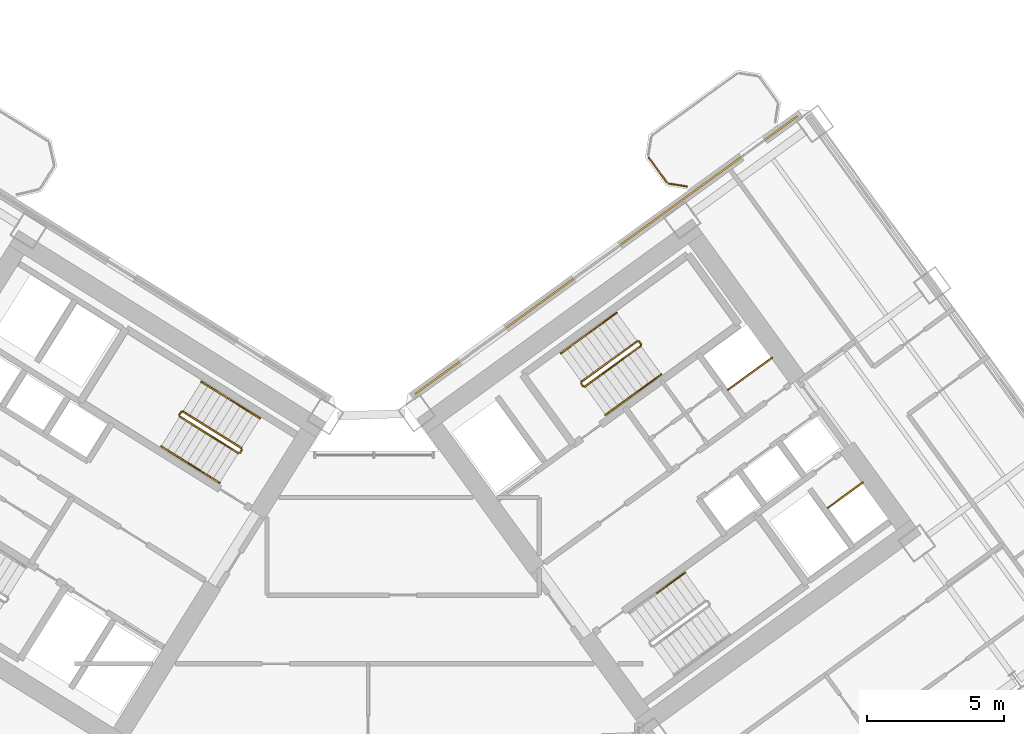
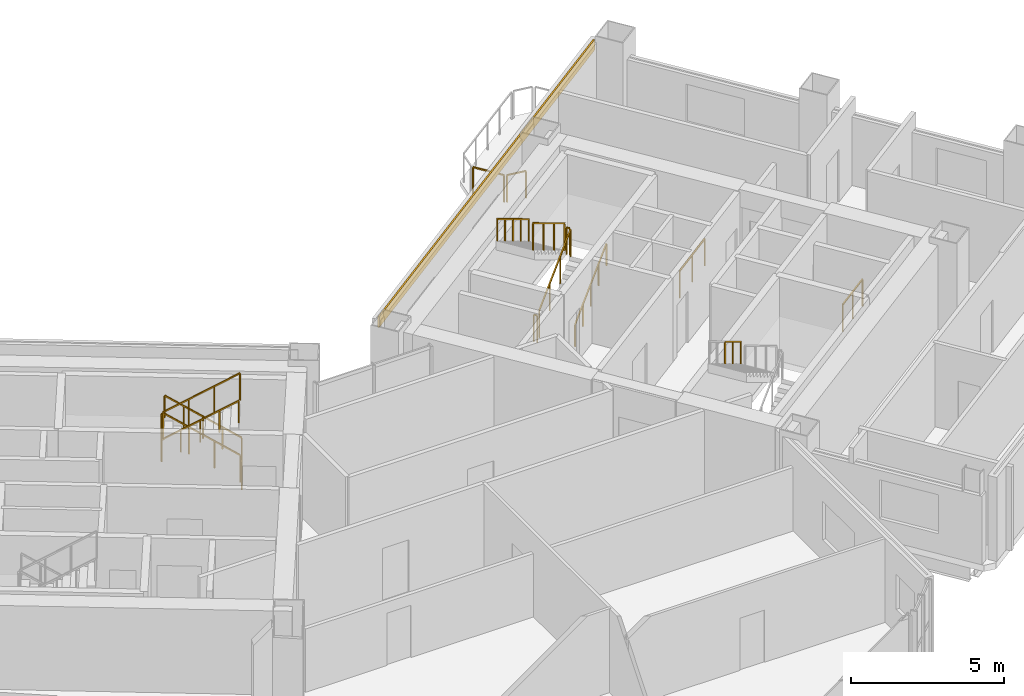
# One storey, part 27 of 28: 21 railings, 1 covering.
"""IFC4 building model written with IfcOpenShell, lengths in metres."""

from ifc_helpers import new_model, si_unit, direction, frame, origin, origin_2d, place, context, subcontext, project, spatial, rectangle, extrude, source, transform, mapped, material, layer, layer_set, type_object, element, save


model = new_model("IFC4")

# Units and contexts
model_context = context("Model", 3, precision=1e-05, world=origin(), true_north=direction((0.0, 1.0)))
body_context = subcontext(model_context, "Body", "Model", "MODEL_VIEW")
ifc_project = project(units=[si_unit("LENGTHUNIT", "METRE"), si_unit("AREAUNIT", "SQUARE_METRE"), si_unit("VOLUMEUNIT", "CUBIC_METRE"), si_unit("PLANEANGLEUNIT", "RADIAN"), si_unit("MASSUNIT", "GRAM", prefix="KILO")], contexts=[model_context])

# Site, building, storey
site_placement = place(None, origin())
site = spatial("IfcSite", under=ifc_project, at=site_placement, CompositionType="ELEMENT")
building_placement = place(site_placement, origin())
building = spatial("IfcBuilding", under=site, at=building_placement, Name="Tlacorven Tower", CompositionType="ELEMENT")
storey_placement = place(building_placement, frame((0.0, 0.0, 63.60009765625)))
storey = spatial("IfcBuildingStorey", under=building, at=storey_placement, Name="L16", CompositionType="ELEMENT", Elevation=63.60009765625)

# Railings
ifc_material_1 = material(Name="Aluminium and painted steel balustrade", Category="steel")
railing_type_1 = type_object("IfcRailingType", Name="RL-GRD-1100", PredefinedType="GUARDRAIL", material=ifc_material_1)
shared_shape_1 = source(origin(), body_context, "Body", "SweptSolid", [
    extrude(rectangle(XDim=0.048095703125, YDim=0.048095703125, at=origin_2d()), frame((0.0, 0.0, 1.076171875), z_axis=(0.808947177504, 0.587881334972, 0.0), x_axis=(-0.587881334972, 0.808947177504, 0.0)), (0.0, 0.0, 1.0), 2.0),
    extrude(rectangle(XDim=0.0419921875, YDim=0.0419921875, at=origin_2d()), origin(), (0.0, 0.0, 1.0), 1.052001953125),
    extrude(rectangle(XDim=0.0419921875, YDim=0.0419921875, at=origin_2d()), frame((0.80908203125, 0.587890625, 0.0)), (0.0, 0.0, 1.0), 1.052001953125),
    extrude(rectangle(XDim=0.0419921875, YDim=0.0419921875, at=origin_2d()), frame((1.617919921875, 1.17578125, 0.0)), (0.0, 0.0, 1.0), 1.052001953125),
])
railing_1_placement = place(storey_placement, frame((55.506103515625, 25.438232421875, 0.0)))
element("IfcRailing", 1, at=railing_1_placement, inside=storey, type_object=railing_type_1, Name="L16 Electrical Riser E Shaft Guard 1", PredefinedType="GUARDRAIL", context=body_context, shape_type="MappedRepresentation", body=[
    mapped(shared_shape_1, transform((0.0, 0.0, 0.0), scale=1.0)),
])
shared_shape_2 = source(origin(), body_context, "Body", "SweptSolid", [
    extrude(rectangle(XDim=0.048095703125, YDim=0.048095703125, at=origin_2d()), frame((0.0, 0.0, 1.076171875), z_axis=(0.809029975545, 0.58776738483, 0.0), x_axis=(-0.58776738483, 0.809029975545, 0.0)), (0.0, 0.0, 1.0), 1.580078125),
    extrude(rectangle(XDim=0.0419921875, YDim=0.0419921875, at=origin_2d()), origin(), (0.0, 0.0, 1.0), 1.052001953125),
    extrude(rectangle(XDim=0.0419921875, YDim=0.0419921875, at=origin_2d()), frame((0.63916015625, 0.46435546875, 0.0)), (0.0, 0.0, 1.0), 1.052001953125),
    extrude(rectangle(XDim=0.0419921875, YDim=0.0419921875, at=origin_2d()), frame((1.2783203125, 0.9287109375, 0.0)), (0.0, 0.0, 1.0), 1.052001953125),
])
railing_2_placement = place(storey_placement, frame((59.160888671875, 21.122314453125, 0.0)))
element("IfcRailing", 2, at=railing_2_placement, inside=storey, type_object=railing_type_1, Name="L16 Smoke Riser E Shaft Guard 1", PredefinedType="GUARDRAIL", context=body_context, shape_type="MappedRepresentation", body=[
    mapped(shared_shape_2, transform((0.0, 0.0, 0.0), scale=1.0)),
])
railing_type_2 = type_object("IfcRailingType", Name="RL-BAL-1100", PredefinedType="BALUSTRADE", material=ifc_material_1)
shared_shape_3 = source(origin(), body_context, "Body", "SweptSolid", [
    extrude(rectangle(XDim=0.048095703125, YDim=0.048095703125, at=origin_2d()), frame((0.0, 0.0, 1.076171875), z_axis=(-0.987718317463, 0.156245081039, 0.0), x_axis=(-0.156245081039, -0.987718317463, 0.0)), (0.0, 0.0, 1.0), 0.66552734375),
    extrude(rectangle(XDim=0.0419921875, YDim=0.0419921875, at=origin_2d()), origin(), (0.0, 0.0, 1.0), 1.052001953125),
    extrude(rectangle(XDim=0.0419921875, YDim=0.0419921875, at=origin_2d()), frame((-0.657470703125, 0.10400390625, 0.0)), (0.0, 0.0, 1.0), 1.052001953125),
])
railing_3_placement = place(storey_placement, frame((54.00341796875, 32.8759765625, 0.0)))
element("IfcRailing", 3, at=railing_3_placement, inside=storey, type_object=railing_type_2, Name="BAL-L16-E-IN Guard Railing 1", PredefinedType="BALUSTRADE", context=body_context, shape_type="MappedRepresentation", body=[
    mapped(shared_shape_3, transform((0.0, 0.0, 0.0), scale=1.0)),
])
shared_shape_4 = source(origin(), body_context, "Body", "SweptSolid", [
    extrude(rectangle(XDim=0.048095703125, YDim=0.048095703125, at=origin_2d()), frame((0.0, 0.0, 1.076171875), z_axis=(-0.587740817519, 0.809049276263, 0.0), x_axis=(-0.809049276263, -0.587740817519, 0.0)), (0.0, 0.0, 1.0), 1.112060546875),
    extrude(rectangle(XDim=0.0419921875, YDim=0.0419921875, at=origin_2d()), origin(), (0.0, 0.0, 1.0), 1.052001953125),
    extrude(rectangle(XDim=0.0419921875, YDim=0.0419921875, at=origin_2d()), frame((-0.653564453125, 0.899658203125, 0.0)), (0.0, 0.0, 1.0), 1.052001953125),
])
railing_4_placement = place(storey_placement, frame((53.26708984375, 33.0283203125, 0.0)))
element("IfcRailing", 4, at=railing_4_placement, inside=storey, type_object=railing_type_2, Name="BAL-L16-E-IN Guard Railing 2", PredefinedType="BALUSTRADE", context=body_context, shape_type="MappedRepresentation", body=[
    mapped(shared_shape_4, transform((0.0, 0.0, 0.0), scale=1.0)),
])

# Covering
ifc_material_2 = material(Name="Precast concrete C45/55", Category="concrete")
ifc_layer = layer(ifc_material_2, 0.06005859375)
ifc_layer_set = layer_set([ifc_layer], Name="Precast concrete C45/55")
covering_type = type_object("IfcCoveringType", Name="CV-CLD-TERC", PredefinedType="CLADDING", material=ifc_layer_set)
shared_shape_5 = source(origin(), body_context, "Body", "SweptSolid", [
    extrude(rectangle(XDim=17.287353515625, YDim=0.06005859375, at=origin_2d()), origin(), (0.0, 0.0, 1.0), 0.419921875),
])
covering_placement = place(storey_placement, frame((51.05224609375, 30.360595703125, 2.929931640625), z_axis=(0.0, 0.0, 1.0), x_axis=(0.809017097486, 0.587785110372, 0.0)))
element("IfcCovering", 5, at=covering_placement, inside=storey, type_object=covering_type, Name="L16 Masonry-Frame Spandrel Cladding 4", PredefinedType="CLADDING", context=body_context, shape_type="MappedRepresentation", body=[
    mapped(shared_shape_5, transform((0.0, 0.0, 0.0), scale=1.0)),
])

# Railings
shared_shape_6 = source(origin(), body_context, "Body", "SweptSolid", [
    extrude(rectangle(XDim=0.048095703125, YDim=0.048095703125, at=origin_2d()), frame((0.0, 0.0, 1.076171875), z_axis=(-0.530546985787, -0.847655529016, 0.0), x_axis=(0.847655529016, -0.530546985787, 0.0)), (0.0, 0.0, 1.0), 0.1201171875),
    extrude(rectangle(XDim=0.0419921875, YDim=0.0419921875, at=origin_2d()), origin(), (0.0, 0.0, 1.0), 1.052001953125),
    extrude(rectangle(XDim=0.0419921875, YDim=0.0419921875, at=origin_2d()), frame((-0.063720703125, -0.101806640625, 0.0)), (0.0, 0.0, 1.0), 1.052001953125),
])
railing_5_placement = place(storey_placement, frame((37.728271484375, 23.24072265625, 0.0)))
element("IfcRailing", 6, at=railing_5_placement, inside=storey, type_object=railing_type_1, Name="L16 ST-W2 stair guard 4", PredefinedType="GUARDRAIL", context=body_context, shape_type="MappedRepresentation", body=[
    mapped(shared_shape_6, transform((0.0, 0.0, 0.0), scale=1.0)),
])
railing_type_3 = type_object("IfcRailingType", Name="RL-HND-0900", PredefinedType="HANDRAIL", material=ifc_material_1)
shared_shape_7 = source(origin(), body_context, "Body", "SweptSolid", [
    extrude(rectangle(XDim=0.048095703125, YDim=0.048095703125, at=origin_2d()), frame((0.0, 0.0, 0.8759765625), z_axis=(-0.713359751793, 0.4457479829, 0.540764828981), x_axis=(-0.529911857636, -0.848052724267, 0.0)), (0.0, 0.0, 1.0), 1.498046875),
    extrude(rectangle(XDim=0.0419921875, YDim=0.0419921875, at=origin_2d()), origin(), (0.0, 0.0, 1.0), 0.851806640625),
    extrude(rectangle(XDim=0.0419921875, YDim=0.0419921875, at=origin_2d()), frame((-0.5341796875, 0.333984375, 0.405029296875)), (0.0, 0.0, 1.0), 0.851806640625),
    extrude(rectangle(XDim=0.0419921875, YDim=0.0419921875, at=origin_2d()), frame((-1.068603515625, 0.667724609375, 0.81005859375)), (0.0, 0.0, 1.0), 0.851806640625),
])
railing_6_placement = place(storey_placement, frame((38.390625, 24.39501953125, 0.179931640625)))
element("IfcRailing", 7, at=railing_6_placement, inside=storey, type_object=railing_type_3, Name="L16 ST-W2 stair handrail 1", PredefinedType="HANDRAIL", context=body_context, shape_type="MappedRepresentation", body=[
    mapped(shared_shape_7, transform((0.0, 0.0, 0.0), scale=1.0)),
])
shared_shape_8 = source(origin(), body_context, "Body", "SweptSolid", [
    extrude(rectangle(XDim=0.048095703125, YDim=0.048095703125, at=origin_2d()), frame((0.0, 0.0, 0.8759765625), z_axis=(0.713359751793, -0.4457479829, 0.540764828981), x_axis=(0.529911857636, 0.848052724267, 0.0)), (0.0, 0.0, 1.0), 1.498046875),
    extrude(rectangle(XDim=0.0419921875, YDim=0.0419921875, at=origin_2d()), origin(), (0.0, 0.0, 1.0), 0.851806640625),
    extrude(rectangle(XDim=0.0419921875, YDim=0.0419921875, at=origin_2d()), frame((0.5341796875, -0.333984375, 0.405029296875)), (0.0, 0.0, 1.0), 0.851806640625),
    extrude(rectangle(XDim=0.0419921875, YDim=0.0419921875, at=origin_2d()), frame((1.068603515625, -0.667724609375, 0.81005859375)), (0.0, 0.0, 1.0), 0.851806640625),
])
railing_7_placement = place(storey_placement, frame((35.848876953125, 22.705078125, 2.789794921875)))
element("IfcRailing", 8, at=railing_7_placement, inside=storey, type_object=railing_type_3, Name="L16 ST-W2 stair handrail 4", PredefinedType="HANDRAIL", context=body_context, shape_type="MappedRepresentation", body=[
    mapped(shared_shape_8, transform((0.0, 0.0, 0.0), scale=1.0)),
])
shared_shape_9 = source(origin(), body_context, "Body", "SweptSolid", [
    extrude(rectangle(XDim=0.048095703125, YDim=0.048095703125, at=origin_2d()), frame((0.0, 0.0, 1.076171875), z_axis=(-0.713351164325, 0.445793541512, 0.540738601085), x_axis=(-0.529955395941, -0.84802551749, 0.0)), (0.0, 0.0, 1.0), 2.99560546875),
    extrude(rectangle(XDim=0.0419921875, YDim=0.0419921875, at=origin_2d()), origin(), (0.0, 0.0, 1.0), 1.052001953125),
    extrude(rectangle(XDim=0.0419921875, YDim=0.0419921875, at=origin_2d()), frame((-0.71240234375, 0.445068359375, 0.5400390625)), (0.0, 0.0, 1.0), 1.052001953125),
    extrude(rectangle(XDim=0.0419921875, YDim=0.0419921875, at=origin_2d()), frame((-1.424560546875, 0.890380859375, 1.079833984375)), (0.0, 0.0, 1.0), 1.052001953125),
    extrude(rectangle(XDim=0.0419921875, YDim=0.0419921875, at=origin_2d()), frame((-2.136962890625, 1.33544921875, 1.619873046875)), (0.0, 0.0, 1.0), 1.052001953125),
])
railing_8_placement = place(storey_placement, frame((37.712158203125, 23.3095703125, 0.179931640625)))
element("IfcRailing", 9, at=railing_8_placement, inside=storey, type_object=railing_type_1, Name="L16 ST-W2 stair guard 1", PredefinedType="GUARDRAIL", context=body_context, shape_type="MappedRepresentation", body=[
    mapped(shared_shape_9, transform((0.0, 0.0, 0.0), scale=1.0)),
])
shared_shape_10 = source(origin(), body_context, "Body", "SweptSolid", [
    extrude(rectangle(XDim=0.048095703125, YDim=0.048095703125, at=origin_2d()), frame((0.0, 0.0, 0.8759765625), z_axis=(-0.713422621445, 0.445787267455, 0.540649494022), x_axis=(-0.529911857636, -0.848052724267, 0.0)), (0.0, 0.0, 1.0), 1.497802734375),
    extrude(rectangle(XDim=0.0419921875, YDim=0.0419921875, at=origin_2d()), origin(), (0.0, 0.0, 1.0), 0.851806640625),
    extrude(rectangle(XDim=0.0419921875, YDim=0.0419921875, at=origin_2d()), frame((-0.5341796875, 0.333984375, 0.40478515625)), (0.0, 0.0, 1.0), 0.851806640625),
    extrude(rectangle(XDim=0.0419921875, YDim=0.0419921875, at=origin_2d()), frame((-1.068603515625, 0.667724609375, 0.809814453125)), (0.0, 0.0, 1.0), 0.851806640625),
])
railing_9_placement = place(storey_placement, frame((37.322021484375, 25.062744140625, 0.989990234375)))
element("IfcRailing", 10, at=railing_9_placement, inside=storey, type_object=railing_type_3, Name="L16 ST-W2 stair handrail 2", PredefinedType="HANDRAIL", context=body_context, shape_type="MappedRepresentation", body=[
    mapped(shared_shape_10, transform((0.0, 0.0, 0.0), scale=1.0)),
])
shared_shape_11 = source(origin(), body_context, "Body", "SweptSolid", [
    extrude(rectangle(XDim=0.048095703125, YDim=0.048095703125, at=origin_2d()), frame((0.0, 0.0, 0.8759765625), z_axis=(0.713422621445, -0.445787267455, 0.540649494022), x_axis=(0.529911857636, 0.848052724267, 0.0)), (0.0, 0.0, 1.0), 1.497802734375),
    extrude(rectangle(XDim=0.0419921875, YDim=0.0419921875, at=origin_2d()), origin(), (0.0, 0.0, 1.0), 0.851806640625),
    extrude(rectangle(XDim=0.0419921875, YDim=0.0419921875, at=origin_2d()), frame((0.5341796875, -0.333984375, 0.40478515625)), (0.0, 0.0, 1.0), 0.851806640625),
    extrude(rectangle(XDim=0.0419921875, YDim=0.0419921875, at=origin_2d()), frame((1.068603515625, -0.667724609375, 0.809814453125)), (0.0, 0.0, 1.0), 0.851806640625),
])
railing_10_placement = place(storey_placement, frame((34.7802734375, 23.372802734375, 1.97998046875)))
element("IfcRailing", 11, at=railing_10_placement, inside=storey, type_object=railing_type_3, Name="L16 ST-W2 stair handrail 3", PredefinedType="HANDRAIL", context=body_context, shape_type="MappedRepresentation", body=[
    mapped(shared_shape_11, transform((0.0, 0.0, 0.0), scale=1.0)),
])
shared_shape_12 = source(origin(), body_context, "Body", "SweptSolid", [
    extrude(rectangle(XDim=0.048095703125, YDim=0.048095703125, at=origin_2d()), frame((0.0, 0.0, 1.076171875), z_axis=(-0.531462422766, -0.847081869236, 0.0), x_axis=(0.847081869236, -0.531462422766, 0.0)), (0.0, 0.0, 1.0), 0.119873046875),
    extrude(rectangle(XDim=0.0419921875, YDim=0.0419921875, at=origin_2d()), origin(), (0.0, 0.0, 1.0), 1.052001953125),
    extrude(rectangle(XDim=0.0419921875, YDim=0.0419921875, at=origin_2d()), frame((-0.063720703125, -0.1015625, 0.0)), (0.0, 0.0, 1.0), 1.052001953125),
])
railing_11_placement = place(storey_placement, frame((35.50634765625, 24.62890625, 1.7998046875)))
element("IfcRailing", 12, at=railing_11_placement, inside=storey, type_object=railing_type_1, Name="L16 ST-W2 stair guard 2", PredefinedType="GUARDRAIL", context=body_context, shape_type="MappedRepresentation", body=[
    mapped(shared_shape_12, transform((0.0, 0.0, 0.0), scale=1.0)),
])
shared_shape_13 = source(origin(), body_context, "Body", "SweptSolid", [
    extrude(rectangle(XDim=0.048095703125, YDim=0.048095703125, at=origin_2d()), frame((0.0, 0.0, 1.076171875), z_axis=(0.713417101326, -0.445702322042, 0.540726806865), x_axis=(0.52984217967, 0.848096259066, 0.0)), (0.0, 0.0, 1.0), 2.995849609375),
    extrude(rectangle(XDim=0.0419921875, YDim=0.0419921875, at=origin_2d()), origin(), (0.0, 0.0, 1.0), 1.052001953125),
    extrude(rectangle(XDim=0.0419921875, YDim=0.0419921875, at=origin_2d()), frame((0.71240234375, -0.445068359375, 0.5400390625)), (0.0, 0.0, 1.0), 1.052001953125),
    extrude(rectangle(XDim=0.0419921875, YDim=0.0419921875, at=origin_2d()), frame((1.4248046875, -0.89013671875, 1.079833984375)), (0.0, 0.0, 1.0), 1.052001953125),
    extrude(rectangle(XDim=0.0419921875, YDim=0.0419921875, at=origin_2d()), frame((2.13720703125, -1.335205078125, 1.619873046875)), (0.0, 0.0, 1.0), 1.052001953125),
])
railing_12_placement = place(storey_placement, frame((35.45849609375, 24.458251953125, 1.97998046875)))
element("IfcRailing", 13, at=railing_12_placement, inside=storey, type_object=railing_type_1, Name="L16 ST-W2 stair guard 3", PredefinedType="GUARDRAIL", context=body_context, shape_type="MappedRepresentation", body=[
    mapped(shared_shape_13, transform((0.0, 0.0, 0.0), scale=1.0)),
])
shared_shape_14 = source(origin(), body_context, "Body", "SweptSolid", [
    extrude(rectangle(XDim=0.048095703125, YDim=0.048095703125, at=origin_2d()), frame((0.0, 0.0, 1.076171875), z_axis=(-0.587201422542, 0.809440849824, 0.0), x_axis=(-0.809440849824, -0.587201422542, 0.0)), (0.0, 0.0, 1.0), 0.11962890625),
    extrude(rectangle(XDim=0.0419921875, YDim=0.0419921875, at=origin_2d()), origin(), (0.0, 0.0, 1.0), 1.052001953125),
    extrude(rectangle(XDim=0.0419921875, YDim=0.0419921875, at=origin_2d()), frame((-0.0703125, 0.096923828125, 0.0)), (0.0, 0.0, 1.0), 1.052001953125),
])
for number, where, name in (
    (14, (52.326904296875, 27.10888671875, 1.7998046875), "L16 ST-E1 stair guard 2"),
    (15, (50.207275390625, 25.56884765625, 0.0), "L16 ST-E1 stair guard 4"),
):
    element("IfcRailing", number, at=place(storey_placement, frame(where)), inside=storey, type_object=railing_type_1, Name=name, PredefinedType="GUARDRAIL", context=body_context, shape_type="MappedRepresentation", body=[
        mapped(shared_shape_14, transform((0.0, 0.0, 0.0), scale=1.0)),
    ])
shared_shape_15 = source(origin(), body_context, "Body", "SweptSolid", [
    extrude(rectangle(XDim=0.048095703125, YDim=0.048095703125, at=origin_2d()), frame((0.0, 0.0, 0.8759765625), z_axis=(0.680516055757, 0.494372502302, 0.540826891737), x_axis=(-0.587745292299, 0.809046025502, 0.0)), (0.0, 0.0, 1.0), 1.497802734375),
    extrude(rectangle(XDim=0.0419921875, YDim=0.0419921875, at=origin_2d()), origin(), (0.0, 0.0, 1.0), 0.851806640625),
    extrude(rectangle(XDim=0.0419921875, YDim=0.0419921875, at=origin_2d()), frame((0.509765625, 0.3701171875, 0.405029296875)), (0.0, 0.0, 1.0), 0.851806640625),
    extrude(rectangle(XDim=0.0419921875, YDim=0.0419921875, at=origin_2d()), frame((1.019287109375, 0.740478515625, 0.81005859375)), (0.0, 0.0, 1.0), 0.851806640625),
])
railing_13_placement = place(storey_placement, frame((51.029541015625, 24.522216796875, 0.179931640625)))
element("IfcRailing", 16, at=railing_13_placement, inside=storey, type_object=railing_type_3, Name="L16 ST-E1 stair handrail 1", PredefinedType="HANDRAIL", context=body_context, shape_type="MappedRepresentation", body=[
    mapped(shared_shape_15, transform((0.0, 0.0, 0.0), scale=1.0)),
])
shared_shape_16 = source(origin(), body_context, "Body", "SweptSolid", [
    extrude(rectangle(XDim=0.048095703125, YDim=0.048095703125, at=origin_2d()), frame((0.0, 0.0, 0.8759765625), z_axis=(-0.680461216233, -0.494495647917, 0.540783309093), x_axis=(0.587872112667, -0.808953879494, 0.0)), (0.0, 0.0, 1.0), 1.498046875),
    extrude(rectangle(XDim=0.0419921875, YDim=0.0419921875, at=origin_2d()), origin(), (0.0, 0.0, 1.0), 0.851806640625),
    extrude(rectangle(XDim=0.0419921875, YDim=0.0419921875, at=origin_2d()), frame((-0.509765625, -0.370361328125, 0.405029296875)), (0.0, 0.0, 1.0), 0.851806640625),
    extrude(rectangle(XDim=0.0419921875, YDim=0.0419921875, at=origin_2d()), frame((-1.019287109375, -0.74072265625, 0.81005859375)), (0.0, 0.0, 1.0), 0.851806640625),
])
railing_14_placement = place(storey_placement, frame((50.414794921875, 27.511962890625, 2.789794921875)))
element("IfcRailing", 17, at=railing_14_placement, inside=storey, type_object=railing_type_3, Name="L16 ST-E1 stair handrail 4", PredefinedType="HANDRAIL", context=body_context, shape_type="MappedRepresentation", body=[
    mapped(shared_shape_16, transform((0.0, 0.0, 0.0), scale=1.0)),
])
shared_shape_17 = source(origin(), body_context, "Body", "SweptSolid", [
    extrude(rectangle(XDim=0.048095703125, YDim=0.048095703125, at=origin_2d()), frame((0.0, 0.0, 1.076171875), z_axis=(0.680518627673, 0.494455869951, 0.540747436481), x_axis=(-0.5878087079, 0.808999952359, 0.0)), (0.0, 0.0, 1.0), 2.99560546875),
    extrude(rectangle(XDim=0.0419921875, YDim=0.0419921875, at=origin_2d()), origin(), (0.0, 0.0, 1.0), 1.052001953125),
    extrude(rectangle(XDim=0.0419921875, YDim=0.0419921875, at=origin_2d()), frame((0.679443359375, 0.49365234375, 0.5400390625)), (0.0, 0.0, 1.0), 1.052001953125),
    extrude(rectangle(XDim=0.0419921875, YDim=0.0419921875, at=origin_2d()), frame((1.359130859375, 0.987548828125, 1.079833984375)), (0.0, 0.0, 1.0), 1.052001953125),
    extrude(rectangle(XDim=0.0419921875, YDim=0.0419921875, at=origin_2d()), frame((2.03857421875, 1.481201171875, 1.619873046875)), (0.0, 0.0, 1.0), 1.052001953125),
])
railing_15_placement = place(storey_placement, frame((50.27734375, 25.557861328125, 0.179931640625)))
element("IfcRailing", 18, at=railing_15_placement, inside=storey, type_object=railing_type_1, Name="L16 ST-E1 stair guard 1", PredefinedType="GUARDRAIL", context=body_context, shape_type="MappedRepresentation", body=[
    mapped(shared_shape_17, transform((0.0, 0.0, 0.0), scale=1.0)),
])
shared_shape_18 = source(origin(), body_context, "Body", "SweptSolid", [
    extrude(rectangle(XDim=0.048095703125, YDim=0.048095703125, at=origin_2d()), frame((0.0, 0.0, 1.076171875), z_axis=(-0.680518627673, -0.494455869951, 0.540747436481), x_axis=(0.5878087079, -0.808999952359, 0.0)), (0.0, 0.0, 1.0), 2.99560546875),
    extrude(rectangle(XDim=0.0419921875, YDim=0.0419921875, at=origin_2d()), origin(), (0.0, 0.0, 1.0), 1.052001953125),
    extrude(rectangle(XDim=0.0419921875, YDim=0.0419921875, at=origin_2d()), frame((-0.679443359375, -0.49365234375, 0.5400390625)), (0.0, 0.0, 1.0), 1.052001953125),
    extrude(rectangle(XDim=0.0419921875, YDim=0.0419921875, at=origin_2d()), frame((-1.359130859375, -0.987548828125, 1.079833984375)), (0.0, 0.0, 1.0), 1.052001953125),
    extrude(rectangle(XDim=0.0419921875, YDim=0.0419921875, at=origin_2d()), frame((-2.03857421875, -1.481201171875, 1.619873046875)), (0.0, 0.0, 1.0), 1.052001953125),
])
railing_16_placement = place(storey_placement, frame((52.1865234375, 27.217041015625, 1.97998046875)))
element("IfcRailing", 19, at=railing_16_placement, inside=storey, type_object=railing_type_1, Name="L16 ST-E1 stair guard 3", PredefinedType="GUARDRAIL", context=body_context, shape_type="MappedRepresentation", body=[
    mapped(shared_shape_18, transform((0.0, 0.0, 0.0), scale=1.0)),
])
shared_shape_19 = source(origin(), body_context, "Body", "SweptSolid", [
    extrude(rectangle(XDim=0.048095703125, YDim=0.048095703125, at=origin_2d()), frame((0.0, 0.0, 0.8759765625), z_axis=(0.680608688748, 0.494484377792, 0.540608003012), x_axis=(-0.587779977844, 0.80902082646, 0.0)), (0.0, 0.0, 1.0), 1.498046875),
    extrude(rectangle(XDim=0.0419921875, YDim=0.0419921875, at=origin_2d()), origin(), (0.0, 0.0, 1.0), 0.851806640625),
    extrude(rectangle(XDim=0.0419921875, YDim=0.0419921875, at=origin_2d()), frame((0.509765625, 0.370361328125, 0.40478515625)), (0.0, 0.0, 1.0), 0.851806640625),
    extrude(rectangle(XDim=0.0419921875, YDim=0.0419921875, at=origin_2d()), frame((1.01953125, 0.74072265625, 0.809814453125)), (0.0, 0.0, 1.0), 0.851806640625),
])
railing_17_placement = place(storey_placement, frame((52.048828125, 25.2626953125, 0.989990234375)))
element("IfcRailing", 20, at=railing_17_placement, inside=storey, type_object=railing_type_3, Name="L16 ST-E1 stair handrail 2", PredefinedType="HANDRAIL", context=body_context, shape_type="MappedRepresentation", body=[
    mapped(shared_shape_19, transform((0.0, 0.0, 0.0), scale=1.0)),
])
shared_shape_20 = source(origin(), body_context, "Body", "SweptSolid", [
    extrude(rectangle(XDim=0.048095703125, YDim=0.048095703125, at=origin_2d()), frame((0.0, 0.0, 0.8759765625), z_axis=(-0.680663537655, -0.494361233168, 0.540651569541), x_axis=(0.587653156371, -0.809112951205, 0.0)), (0.0, 0.0, 1.0), 1.497802734375),
    extrude(rectangle(XDim=0.0419921875, YDim=0.0419921875, at=origin_2d()), origin(), (0.0, 0.0, 1.0), 0.851806640625),
    extrude(rectangle(XDim=0.0419921875, YDim=0.0419921875, at=origin_2d()), frame((-0.509765625, -0.3701171875, 0.40478515625)), (0.0, 0.0, 1.0), 0.851806640625),
    extrude(rectangle(XDim=0.0419921875, YDim=0.0419921875, at=origin_2d()), frame((-1.01953125, -0.740478515625, 0.809814453125)), (0.0, 0.0, 1.0), 0.851806640625),
])
railing_18_placement = place(storey_placement, frame((51.434326171875, 28.25244140625, 1.97998046875)))
element("IfcRailing", 21, at=railing_18_placement, inside=storey, type_object=railing_type_3, Name="L16 ST-E1 stair handrail 3", PredefinedType="HANDRAIL", context=body_context, shape_type="MappedRepresentation", body=[
    mapped(shared_shape_20, transform((0.0, 0.0, 0.0), scale=1.0)),
])
shared_shape_21 = source(origin(), body_context, "Body", "SweptSolid", [
    extrude(rectangle(XDim=0.048095703125, YDim=0.048095703125, at=origin_2d()), frame((0.0, 0.0, 0.8759765625), z_axis=(-0.680576044605, -0.494416082224, 0.54071155448), x_axis=(0.587745292299, -0.809046025502, 0.0)), (0.0, 0.0, 1.0), 1.497802734375),
    extrude(rectangle(XDim=0.0419921875, YDim=0.0419921875, at=origin_2d()), origin(), (0.0, 0.0, 1.0), 0.851806640625),
    extrude(rectangle(XDim=0.0419921875, YDim=0.0419921875, at=origin_2d()), frame((-0.509765625, -0.3701171875, 0.40478515625)), (0.0, 0.0, 1.0), 0.851806640625),
    extrude(rectangle(XDim=0.0419921875, YDim=0.0419921875, at=origin_2d()), frame((-1.019287109375, -0.740478515625, 0.809814453125)), (0.0, 0.0, 1.0), 0.851806640625),
])
railing_19_placement = place(storey_placement, frame((53.938232421875, 18.749267578125, 1.97998046875)))
element("IfcRailing", 22, at=railing_19_placement, inside=storey, type_object=railing_type_3, Name="L16 ST-E2 stair handrail 3", PredefinedType="HANDRAIL", context=body_context, shape_type="MappedRepresentation", body=[
    mapped(shared_shape_21, transform((0.0, 0.0, 0.0), scale=1.0)),
])

save(model, "model.ifc")
